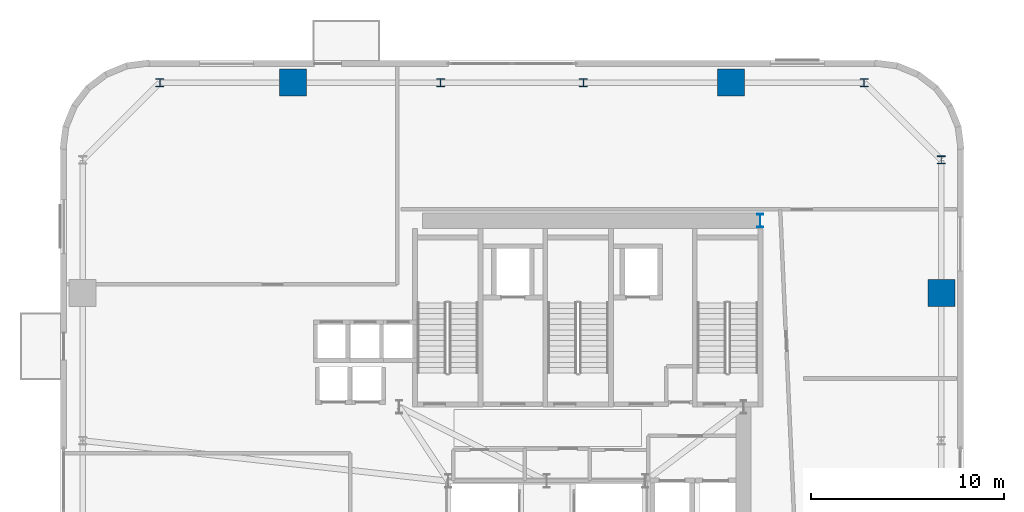
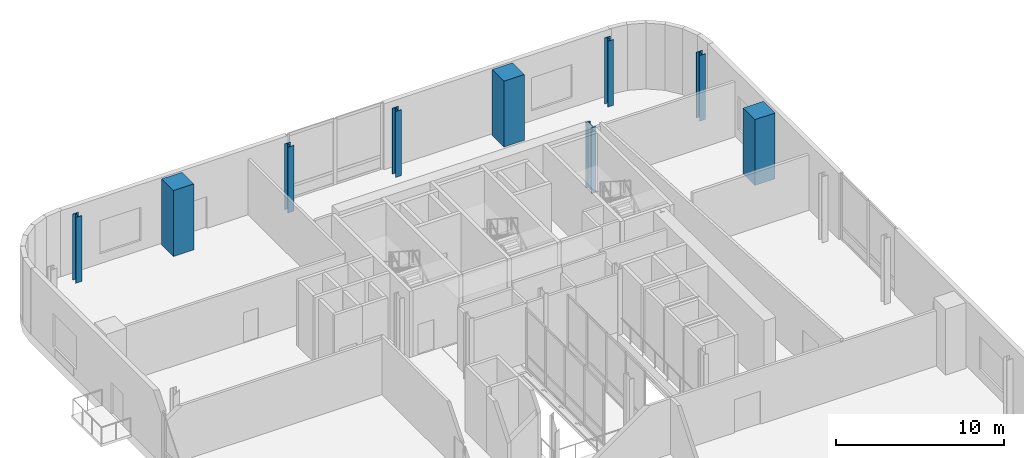
# One storey, part 2 of 14: 9 columns.
"""IFC4 building model written with IfcOpenShell, lengths in metres."""

import ifcopenshell
import ifcopenshell.guid

model = None  # the IFC model being written
_history = None  # IfcOwnerHistory: only IFC2X3 demands one
_inside = {}  # id of a spatial element -> (the spatial element, [elements in it])
_under = {}  # id of a project, library or spatial element -> (it, [spatial elements below it])
_declared = {}  # id of a project -> (the project, [libraries it declares])
_typed = {}  # id of a type object -> (the type object, [elements of that type])
_made_of = {}  # id of a material, layer set ... -> (it, [elements and type objects made of it])


def new_model(schema):
    """Start an empty IFC model of exactly this schema.

    Asked for "IFC4X3", IfcOpenShell would pick the latest addendum, in which some entities
    have other attributes; the version numbers below select the first issue.
    IFC2X3 requires an IfcOwnerHistory on every rooted entity: one is made here for all.
    """
    global model, _history
    if schema == "IFC4X3":
        model = ifcopenshell.file(schema_version=(4, 3, 0, 0))
    else:
        model = ifcopenshell.file(schema=schema)
    _inside.clear()
    _under.clear()
    _declared.clear()
    _typed.clear()
    _made_of.clear()
    _history = None
    if model.schema == "IFC2X3":
        org = make("IfcOrganization", Name="unknown")
        user = make(
            "IfcPersonAndOrganization",
            ThePerson=make("IfcPerson", FamilyName="unknown"),
            TheOrganization=org,
        )
        app = make(
            "IfcApplication",
            ApplicationDeveloper=org,
            Version="unknown",
            ApplicationFullName="unknown",
            ApplicationIdentifier="unknown",
        )
        _history = make(
            "IfcOwnerHistory",
            OwningUser=user,
            OwningApplication=app,
            ChangeAction="ADDED",
            CreationDate=0,
        )
    return model


def make(cls, **values):
    """One entity of the class cls with the attributes given. An attribute that is None is left unset."""
    return model.create_entity(
        cls, **{name: value for name, value in values.items() if value is not None}
    )


def rooted(cls, **values):
    """An entity with a GlobalId (a new one), such as an element, a storey or a relation."""
    return make(cls, GlobalId=ifcopenshell.guid.new(), OwnerHistory=_history, **values)


def si_unit(unit_type, name, prefix=None):
    """IfcSIUnit, for example si_unit("LENGTHUNIT", "METRE", prefix="MILLI")."""
    return make("IfcSIUnit", UnitType=unit_type, Prefix=prefix, Name=name)


def assignment(units):
    """IfcUnitAssignment: the units of a project."""
    return None if units is None else make("IfcUnitAssignment", Units=units)


def point(xyz):
    """IfcCartesianPoint."""
    return None if xyz is None else make("IfcCartesianPoint", Coordinates=xyz)


def direction(xyz):
    """IfcDirection."""
    return None if xyz is None else make("IfcDirection", DirectionRatios=xyz)


def frame(location, z_axis=None, x_axis=None):
    """IfcAxis2Placement3D, a coordinate frame: its origin and axes. An axis left out is left unset."""
    return make(
        "IfcAxis2Placement3D",
        Location=point(location),
        Axis=direction(z_axis),
        RefDirection=direction(x_axis),
    )


def frame_2d(location, x_axis=None):
    """IfcAxis2Placement2D, a coordinate frame in the plane: its origin and x axis."""
    return make(
        "IfcAxis2Placement2D", Location=point(location), RefDirection=direction(x_axis)
    )


def origin():
    """The frame at (0, 0, 0) with its axes left unset."""
    return frame((0.0, 0.0, 0.0))


def origin_2d():
    """The frame at (0, 0) in the plane with its x axis left unset."""
    return frame_2d((0.0, 0.0))


def place(relative_to, where):
    """IfcLocalPlacement: puts the frame where relative to a parent placement (None: the world)."""
    return make(
        "IfcLocalPlacement", PlacementRelTo=relative_to, RelativePlacement=where
    )


def context(
    kind, dimensions, precision=None, world=None, true_north=None, identifier=None
):
    """IfcGeometricRepresentationContext, for example the 3D "Model" context."""
    return make(
        "IfcGeometricRepresentationContext",
        ContextIdentifier=identifier,
        ContextType=kind,
        CoordinateSpaceDimension=dimensions,
        Precision=precision,
        WorldCoordinateSystem=world,
        TrueNorth=true_north,
    )


def subcontext(parent, identifier, kind, view, scale=None):
    """IfcGeometricRepresentationSubContext, for example "Body" below "Model"."""
    return make(
        "IfcGeometricRepresentationSubContext",
        ContextIdentifier=identifier,
        ContextType=kind,
        ParentContext=parent,
        TargetScale=scale,
        TargetView=view,
    )


def project(units=None, contexts=None):
    """IfcProject with its units and contexts."""
    return rooted(
        "IfcProject",
        Name="project",
        RepresentationContexts=contexts,
        UnitsInContext=assignment(units),
    )


def spatial(cls, under=None, at=None, **own):
    """A site, building, storey or space (cls), placed at a placement, below another one or the project."""
    s = rooted(cls, ObjectPlacement=at, **own)
    if under is not None:
        _under.setdefault(under.id(), (under, []))[1].append(s)
    return s


def profile(cls, at=None, kind="AREA", **sizes):
    """A parametric profile (cls). Its sizes go by their IFC names, for example OverallWidth=200.0."""
    return make(cls, ProfileType=kind, Position=at, **sizes)


def rectangle(**sizes):
    """IfcRectangleProfileDef."""
    return profile("IfcRectangleProfileDef", **sizes)


def i_section(**sizes):
    """IfcIShapeProfileDef."""
    return profile("IfcIShapeProfileDef", **sizes)


def extrude(swept, where, along, depth):
    """IfcExtrudedAreaSolid: the profile swept, set in the frame where, extruded along a direction by depth."""
    return make(
        "IfcExtrudedAreaSolid",
        SweptArea=swept,
        Position=where,
        ExtrudedDirection=direction(along),
        Depth=depth,
    )


def shape(context_of_items, identifier, shape_type, items):
    """IfcShapeRepresentation: the items that make up one representation, for example the "Body"."""
    return make(
        "IfcShapeRepresentation",
        ContextOfItems=context_of_items,
        RepresentationIdentifier=identifier,
        RepresentationType=shape_type,
        Items=items,
    )


def source(mapping_origin, context_of_items, identifier, shape_type, items):
    """IfcRepresentationMap: a shape defined once, which mapped items show again and again."""
    return make(
        "IfcRepresentationMap",
        MappingOrigin=mapping_origin,
        MappedRepresentation=shape(context_of_items, identifier, shape_type, items),
    )


def transform(
    local_origin,
    x_axis=None,
    y_axis=None,
    z_axis=None,
    scale=None,
    scale2=None,
    scale3=None,
    uniform=True,
):
    """IfcCartesianTransformationOperator3D, or its non-uniform kind. x_axis, y_axis, z_axis: its Axis1, 2, 3."""
    if uniform:
        return make(
            "IfcCartesianTransformationOperator3D",
            Axis1=direction(x_axis),
            Axis2=direction(y_axis),
            LocalOrigin=point(local_origin),
            Scale=scale,
            Axis3=direction(z_axis),
        )
    return make(
        "IfcCartesianTransformationOperator3DnonUniform",
        Axis1=direction(x_axis),
        Axis2=direction(y_axis),
        LocalOrigin=point(local_origin),
        Scale=scale,
        Axis3=direction(z_axis),
        Scale2=scale2,
        Scale3=scale3,
    )


def mapped(mapping_source, mapping_target):
    """IfcMappedItem: shows the shape of a source again, moved by a transform."""
    return make(
        "IfcMappedItem", MappingSource=mapping_source, MappingTarget=mapping_target
    )


def material(Name=None, Category=None):
    """IfcMaterial."""
    return make("IfcMaterial", Name=Name, Category=Category)


def material_profile(
    of_material, cross_section, Name=None, Category=None, Priority=None
):
    """IfcMaterialProfile: a cross section and its material."""
    return make(
        "IfcMaterialProfile",
        Name=Name,
        Material=of_material,
        Profile=cross_section,
        Priority=Priority,
        Category=Category,
    )


def profile_set(profiles, Name=None, composite=None):
    """IfcMaterialProfileSet."""
    return make(
        "IfcMaterialProfileSet",
        Name=Name,
        MaterialProfiles=profiles,
        CompositeProfile=composite,
    )


def made_of(thing, what):
    """Note that an element or type object is made of a material, layer set ...; save() writes the relation."""
    if what is not None:
        _made_of.setdefault(what.id(), (what, []))[1].append(thing)
    return thing


def type_object(cls, material=None, **own):
    """A type object (cls), such as IfcWallType, which elements share."""
    return made_of(rooted(cls, **own), material)


def element(
    cls,
    number,
    at=None,
    inside=None,
    cuts=None,
    type_object=None,
    material=None,
    context=None,
    identifier="Body",
    shape_type=None,
    held_by="IfcProductDefinitionShape",
    body=None,
    shapes=None,
    **own,
):
    """One element of the class cls, such as IfcWall. Its Tag is "e" and its number.

    at: its placement. inside: the storey or other place that contains it. cuts: it is an
    opening in that element (IfcRelVoidsElement). A single representation is given by context,
    identifier, shape_type and body (its items); several are given by shapes. held_by: the class
    of the entity that holds the representations. save() writes the other relations.
    """
    e = rooted(cls, Tag="e%d" % number, ObjectPlacement=at, **own)
    if body is not None:
        shapes = [shape(context, identifier, shape_type, body)]
    if shapes is not None:
        e.Representation = make(held_by, Representations=shapes)
    if inside is not None:
        _inside.setdefault(inside.id(), (inside, []))[1].append(e)
    if cuts is not None:
        rooted(
            "IfcRelVoidsElement", RelatingBuildingElement=cuts, RelatedOpeningElement=e
        )
    if type_object is not None:
        _typed.setdefault(type_object.id(), (type_object, []))[1].append(e)
    return made_of(e, material)


def aggregate(whole, parts):
    """IfcRelAggregates: a whole, such as a stair, and the parts it consists of."""
    return rooted("IfcRelAggregates", RelatingObject=whole, RelatedObjects=parts)


def save(model, path):
    """Write the relations noted so far, then the file.

    IfcRelAggregates (storeys below a building ...), IfcRelContainedInSpatialStructure (elements
    in a storey), IfcRelDefinesByType, IfcRelAssociatesMaterial and IfcRelDeclares: one each for
    every whole, place, type object, material and project.
    """
    for whole, parts in _under.values():
        aggregate(whole, parts)
    for where, things in _inside.values():
        rooted(
            "IfcRelContainedInSpatialStructure",
            RelatedElements=things,
            RelatingStructure=where,
        )
    for kind, things in _typed.values():
        rooted("IfcRelDefinesByType", RelatedObjects=things, RelatingType=kind)
    for what, things in _made_of.values():
        rooted("IfcRelAssociatesMaterial", RelatedObjects=things, RelatingMaterial=what)
    for by, libraries in _declared.values():
        rooted("IfcRelDeclares", RelatingContext=by, RelatedDefinitions=libraries)
    model.write(path)


model = new_model("IFC4")

# Units and contexts
model_context = context("Model", 3, precision=1e-05, world=origin(), true_north=direction((0.0, 1.0)))
body_context = subcontext(model_context, "Body", "Model", "MODEL_VIEW")
ifc_project = project(units=[si_unit("LENGTHUNIT", "METRE"), si_unit("AREAUNIT", "SQUARE_METRE"), si_unit("VOLUMEUNIT", "CUBIC_METRE"), si_unit("PLANEANGLEUNIT", "RADIAN"), si_unit("MASSUNIT", "GRAM", prefix="KILO")], contexts=[model_context])

# Site, building, storey
site_placement = place(None, origin())
site = spatial("IfcSite", under=ifc_project, at=site_placement, CompositionType="ELEMENT")
building_placement = place(site_placement, origin())
building = spatial("IfcBuilding", under=site, at=building_placement, Name="Vardaveli Station Tower", CompositionType="ELEMENT")
storey_placement = place(building_placement, frame((0.0, 0.0, 172.199951171875)))
storey = spatial("IfcBuildingStorey", under=building, at=storey_placement, Name="L44", CompositionType="ELEMENT", Elevation=172.199951171875)

# Columns
ifc_material_1 = material(Name="Structural steel S460M", Category="steel")
ifc_material_profile_1 = material_profile(ifc_material_1, i_section(OverallWidth=0.300048828125, OverallDepth=0.699951171875, WebThickness=0.01708984375, FlangeThickness=0.031982421875, FilletRadius=0.027099609375, at=origin_2d()), Name="HEB 700")
ifc_profile_set_1 = profile_set([ifc_material_profile_1], Name="Structural steel S460M")
column_type_1 = type_object("IfcColumnType", Name="COL-HEB700", PredefinedType="COLUMN", material=ifc_profile_set_1)
shared_shape_1 = source(origin(), body_context, "Body", "SweptSolid", [
    extrude(i_section(OverallWidth=0.300048828125, OverallDepth=0.699951171875, WebThickness=0.01708984375, FlangeThickness=0.031982421875, FilletRadius=0.027099609375, at=origin_2d()), origin(), (0.0, 0.0, 1.0), 4.780029296875),
])
column_placement = place(storey_placement, frame((47.3701171875, 40.300048828125, 0.0), z_axis=(0.0, 0.0, 1.0), x_axis=(1.0, 0.0, 0.0)))
element("IfcColumn", 1, at=column_placement, inside=storey, type_object=column_type_1, Name="COL-L44-CC3", PredefinedType="COLUMN", context=body_context, shape_type="MappedRepresentation", body=[
    mapped(shared_shape_1, transform((0.0, 0.0, 0.0), scale=1.0)),
])
ifc_material_2 = material(Name="Concrete C50/60", Category="concrete")
ifc_material_profile_2 = material_profile(ifc_material_2, rectangle(XDim=1.39990234375, YDim=1.39990234375, at=origin_2d()), Name="MC 1400x1400")
ifc_profile_set_2 = profile_set([ifc_material_profile_2], Name="Concrete C50/60")
column_type_2 = type_object("IfcColumnType", Name="COL-MC-1400", PredefinedType="COLUMN", material=ifc_profile_set_2)
shared_shape_2 = source(origin(), body_context, "Body", "SweptSolid", [
    extrude(rectangle(XDim=1.39990234375, YDim=1.39990234375, at=origin_2d()), origin(), (0.0, 0.0, 1.0), 4.780029296875),
])
for number, where, z_axis, x_axis, name in (
    (2, (56.75, 36.5400390625, 0.0), (0.0, 0.0, 1.0), (1.0, 0.0, 0.0), "COL-L44-MC4"),
    (3, (45.840087890625, 47.449951171875, 0.0), (0.0, 0.0, 1.0), (1.0, 0.0, 0.0), "COL-L44-MC5"),
    (4, (23.159912109375, 47.449951171875, 0.0), (0.0, 0.0, 1.0), (1.0, 0.0, 0.0), "COL-L44-MC6"),
):
    element("IfcColumn", number, at=place(storey_placement, frame(where, z_axis=z_axis, x_axis=x_axis)), inside=storey, type_object=column_type_2, Name=name, PredefinedType="COLUMN", context=body_context, shape_type="MappedRepresentation", body=[
        mapped(shared_shape_2, transform((0.0, 0.0, 0.0), scale=1.0)),
    ])
ifc_material_profile_3 = material_profile(ifc_material_1, i_section(OverallWidth=0.408935546875, OverallDepth=0.4169921875, WebThickness=0.021240234375, FlangeThickness=0.033203125, FilletRadius=0.014892578125, at=origin_2d()), Name="HD 400x347")
ifc_profile_set_3 = profile_set([ifc_material_profile_3], Name="Structural steel S460M")
column_type_3 = type_object("IfcColumnType", Name="COL-HD347", PredefinedType="COLUMN", material=ifc_profile_set_3)
shared_shape_3 = source(origin(), body_context, "Body", "SweptSolid", [
    extrude(i_section(OverallWidth=0.408935546875, OverallDepth=0.4169921875, WebThickness=0.021240234375, FlangeThickness=0.033203125, FilletRadius=0.014892578125, at=origin_2d()), origin(), (0.0, 0.0, 1.0), 4.780029296875),
])
for number, where, z_axis, x_axis, name in (
    (5, (56.75, 43.449951171875, 0.0), (0.0, 0.0, 1.0), (1.0, 0.0, 0.0), "COL-L44-PC08"),
    (6, (52.75, 47.449951171875, 0.0), (0.0, 0.0, 1.0), (1.0, 0.0, 0.0), "COL-L44-PC09"),
    (7, (38.199951171875, 47.449951171875, 0.0), (0.0, 0.0, 1.0), (1.0, 0.0, 0.0), "COL-L44-PC10"),
    (8, (30.800048828125, 47.449951171875, 0.0), (0.0, 0.0, 1.0), (1.0, 0.0, 0.0), "COL-L44-PC11"),
    (9, (16.25, 47.449951171875, 0.0), (0.0, 0.0, 1.0), (1.0, 0.0, 0.0), "COL-L44-PC12"),
):
    element("IfcColumn", number, at=place(storey_placement, frame(where, z_axis=z_axis, x_axis=x_axis)), inside=storey, type_object=column_type_3, Name=name, PredefinedType="COLUMN", context=body_context, shape_type="MappedRepresentation", body=[
        mapped(shared_shape_3, transform((0.0, 0.0, 0.0), scale=1.0)),
    ])

save(model, "model.ifc")
